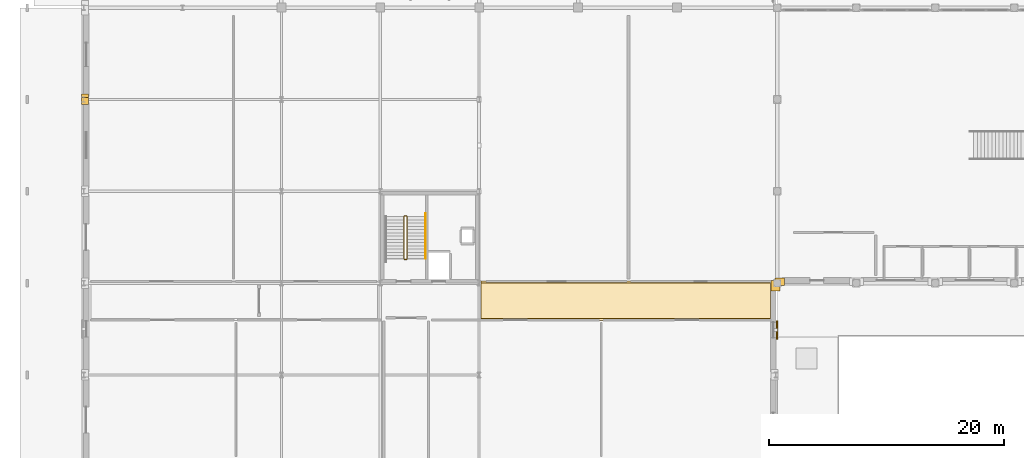
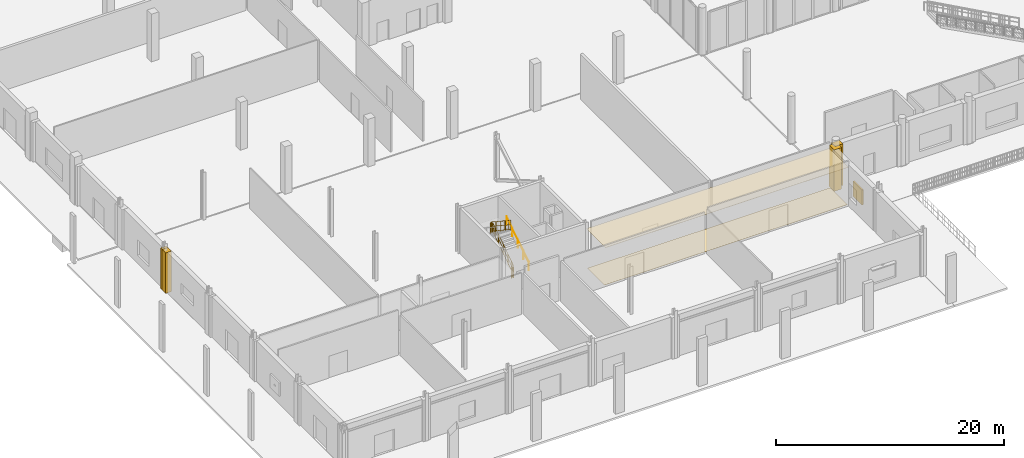
# One storey, part 68 of 80: 6 coverings, 5 railings, 1 shading device.
"""IFC4 building model written with IfcOpenShell, lengths in metres."""

from ifc_helpers import new_model, si_unit, direction, frame, origin, origin_2d, place, context, subcontext, project, spatial, polyline, rectangle, circle, outline, extrude, material, layer, layer_set, type_object, element, save


model = new_model("IFC4")

# Units and contexts
model_context = context("Model", 3, precision=1e-05, world=origin(), true_north=direction((0.0, 1.0)))
body_context = subcontext(model_context, "Body", "Model", "MODEL_VIEW")
ifc_project = project(units=[si_unit("LENGTHUNIT", "METRE"), si_unit("AREAUNIT", "SQUARE_METRE"), si_unit("VOLUMEUNIT", "CUBIC_METRE"), si_unit("PLANEANGLEUNIT", "RADIAN"), si_unit("MASSUNIT", "GRAM", prefix="KILO")], contexts=[model_context])

# Site, building, storey
site_placement = place(None, origin())
site = spatial("IfcSite", under=ifc_project, at=site_placement, CompositionType="ELEMENT")
building_placement = place(site_placement, origin())
building = spatial("IfcBuilding", under=site, at=building_placement, Name="Nabrawat Pavilion Hospital", CompositionType="ELEMENT")
storey_placement = place(building_placement, origin())
storey = spatial("IfcBuildingStorey", under=building, at=storey_placement, Name="L00", CompositionType="ELEMENT", Elevation=0.0)

# Coverings
ifc_material_1 = material(Name="Precast concrete C40/50", Category="concrete")
ifc_layer_1 = layer(ifc_material_1, 0.360107421875, Name="Precast concrete C40/50")
ifc_layer_set_1 = layer_set([ifc_layer_1], Name="Precast concrete C40/50")
covering_type_1 = type_object("IfcCoveringType", Name="Architectural Precast Column-Jamb Closure Reveal", PredefinedType="CLADDING", material=ifc_layer_set_1)
covering_1_placement = place(storey_placement, origin())
element("IfcCovering", 1, at=covering_1_placement, inside=storey, type_object=covering_type_1, Name="L00 Precast Facade Column-Jamb Weatherseal Closure 0008", PredefinedType="CLADDING", context=body_context, shape_type="SweptSolid", body=[
    extrude(outline(polyline([(0.39990234375, 30.75), (0.39990234375, 31.3798828125), (-0.179931640625, 31.3798828125), (-0.179931640625, 30.75), (0.39990234375, 30.75)])), origin(), (0.0, 0.0, 1.0), 4.330078125),
])
covering_2_placement = place(storey_placement, origin())
element("IfcCovering", 2, at=covering_2_placement, inside=storey, type_object=covering_type_1, Name="L00 Precast Facade Column-Jamb Weatherseal Closure 0009", PredefinedType="CLADDING", context=body_context, shape_type="SweptSolid", body=[
    extrude(outline(polyline([(0.39990234375, 31.02001953125), (0.39990234375, 31.64990234375), (-0.179931640625, 31.64990234375), (-0.179931640625, 31.02001953125), (0.39990234375, 31.02001953125)])), origin(), (0.0, 0.0, 1.0), 4.330078125),
])
covering_3_placement = place(storey_placement, origin())
element("IfcCovering", 3, at=covering_3_placement, inside=storey, type_object=covering_type_1, Name="L00 Precast Facade Column-Jamb Weatherseal Closure 0062", PredefinedType="CLADDING", context=body_context, shape_type="SweptSolid", body=[
    extrude(outline(polyline([(59.13134765625, 14.94873046875), (59.13134765625, 15.811279296875), (58.36865234375, 15.811279296875), (58.36865234375, 14.94873046875), (59.13134765625, 14.94873046875)])), origin(), (0.0, 0.0, 1.0), 4.43994140625),
])
covering_4_placement = place(storey_placement, origin())
element("IfcCovering", 4, at=covering_4_placement, inside=storey, type_object=covering_type_1, Name="L00 Precast Facade Column-Jamb Weatherseal Closure 0063", PredefinedType="CLADDING", context=body_context, shape_type="SweptSolid", body=[
    extrude(outline(polyline([(59.51611328125, 15.388671875), (59.51611328125, 16.03125), (58.708740234375, 16.03125), (58.708740234375, 15.388671875), (59.51611328125, 15.388671875)])), origin(), (0.0, 0.0, 1.0), 4.43994140625),
])
ifc_material_2 = material(Name="Mineral-Fibre Hygienic Acoustic Board", Category="gypsum")
ifc_layer_2 = layer(ifc_material_2, 0.02490234375, Name="Mineral-Fibre Hygienic Acoustic Board")
ifc_layer_set_2 = layer_set([ifc_layer_2], Name="Mineral-Fibre Hygienic Acoustic Board")
covering_type_2 = type_object("IfcCoveringType", Name="Hygienic Anti-Bacterial Acoustic Tile Ceiling", PredefinedType="CEILING", material=ifc_layer_set_2)
covering_5_placement = place(storey_placement, frame((0.0, 0.0, 4.110107421875)))
element("IfcCovering", 5, at=covering_5_placement, inside=storey, type_object=covering_type_2, Name="L00 Clinical Corridor Acoustic Ceiling 02", PredefinedType="CEILING", context=body_context, shape_type="SweptSolid", body=[
    extrude(outline(polyline([(58.35009765625, 12.419921875), (58.35009765625, 15.780029296875), (33.77001953125, 15.780029296875), (33.77001953125, 12.419921875), (58.35009765625, 12.419921875)])), origin(), (0.0, 0.0, 1.0), 0.02490234375),
])

# Shading device
ifc_layer_3 = layer(ifc_material_1, 2.39990234375, Name="Precast concrete C40/50")
ifc_layer_set_3 = layer_set([ifc_layer_3], Name="Precast concrete C40/50")
shading_device_type = type_object("IfcShadingDeviceType", Name="Perforated GFRC Mashrabiya Solar Fin", PredefinedType="JALOUSIE", material=ifc_layer_set_3)
shading_device_placement = place(storey_placement, frame((58.8798828125, 11.614990234375, 0.89990234375), z_axis=(0.0, 0.0, 1.0), x_axis=(0.0, 1.0, 0.0)))
element("IfcShadingDevice", 6, at=shading_device_placement, inside=storey, type_object=shading_device_type, Name="L00 Perforated GFRC Mashrabiya Screen 004", PredefinedType="JALOUSIE", context=body_context, shape_type="SweptSolid", body=[
    extrude(rectangle(XDim=1.60009765625, YDim=0.139892578125, at=origin_2d()), origin(), (0.0, 0.0, 1.0), 1.60009765625),
])

# Covering
ifc_material_3 = material(Name="Homogeneous Medical PVC Vinyl", Category="plastic")
ifc_layer_4 = layer(ifc_material_3, 0.014892578125, Name="Homogeneous Medical PVC Vinyl")
ifc_layer_set_4 = layer_set([ifc_layer_4], Name="Homogeneous Medical PVC Vinyl")
covering_type_3 = type_object("IfcCoveringType", Name="Seamless Anti-Static Medical Vinyl Flooring", PredefinedType="FLOORING", material=ifc_layer_set_4)
covering_6_placement = place(storey_placement, origin())
element("IfcCovering", 7, at=covering_6_placement, inside=storey, type_object=covering_type_3, Name="L00 Clinical Corridor Medical Vinyl Flooring 02", PredefinedType="FLOORING", context=body_context, shape_type="SweptSolid", body=[
    extrude(outline(polyline([(58.35009765625, 12.60009765625), (58.35009765625, 15.60009765625), (33.77001953125, 15.60009765625), (33.77001953125, 12.60009765625), (58.35009765625, 12.60009765625)])), origin(), (0.0, 0.0, 1.0), 0.014892578125),
])

# Railings
ifc_material_4 = material(Name="Stainless Steel 316", Category="steel")
ifc_layer_5 = layer(ifc_material_4, 0.050048828125, Name="Stainless Steel 316")
ifc_layer_set_5 = layer_set([ifc_layer_5], Name="Stainless Steel 316")
railing_type_1 = type_object("IfcRailingType", Name="Stair Open-Well Safety Guardrail 1100", PredefinedType="GUARDRAIL", material=ifc_layer_set_5)
railing_1_placement = place(storey_placement, frame((27.47509765625, 17.669921875, 0.18212890625)))
element("IfcRailing", 8, at=railing_1_placement, inside=storey, type_object=railing_type_1, Name="L00 ST-01 stair guard 1", PredefinedType="GUARDRAIL", context=body_context, shape_type="SweptSolid", body=[
    extrude(circle(Radius=0.02392578125, at=origin_2d()), frame((0.0, 0.0, 1.076171875), z_axis=(0.0, 0.833719449677, 0.5521882643), x_axis=(-1.0, 0.0, 0.0)), (0.0, 0.0, 1.0), 4.288330078125),
    extrude(circle(Radius=0.02392578125, at=origin_2d()), frame((0.0, 0.0, 0.10009765625), z_axis=(0.0, 0.833719449677, 0.5521882643), x_axis=(-1.0, 0.0, 0.0)), (0.0, 0.0, 1.0), 4.288330078125),
    extrude(circle(Radius=0.02392578125, at=origin_2d()), frame((0.0, 0.0, 0.60498046875), z_axis=(0.0, 0.833719449677, 0.5521882643), x_axis=(-1.0, 0.0, 0.0)), (0.0, 0.0, 1.0), 4.288330078125),
    extrude(circle(Radius=0.008056640625, at=origin_2d()), frame((0.0, 0.19873046875, 0.2314453125)), (0.0, 0.0, 1.0), 0.951904296875),
    extrude(circle(Radius=0.008056640625, at=origin_2d()), frame((0.0, 0.397216796875, 0.363037109375)), (0.0, 0.0, 1.0), 0.951904296875),
    extrude(circle(Radius=0.008056640625, at=origin_2d()), frame((0.0, 0.595947265625, 0.49462890625)), (0.0, 0.0, 1.0), 0.951904296875),
    extrude(circle(Radius=0.008056640625, at=origin_2d()), frame((0.0, 0.79443359375, 0.626220703125)), (0.0, 0.0, 1.0), 0.951904296875),
    extrude(circle(Radius=0.008056640625, at=origin_2d()), frame((0.0, 0.9931640625, 0.7578125)), (0.0, 0.0, 1.0), 0.951904296875),
    extrude(circle(Radius=0.008056640625, at=origin_2d()), frame((0.0, 1.191650390625, 0.889404296875)), (0.0, 0.0, 1.0), 0.951904296875),
    extrude(circle(Radius=0.008056640625, at=origin_2d()), frame((0.0, 1.390380859375, 1.020751953125)), (0.0, 0.0, 1.0), 0.951904296875),
    extrude(circle(Radius=0.008056640625, at=origin_2d()), frame((0.0, 1.5888671875, 1.15234375)), (0.0, 0.0, 1.0), 0.951904296875),
    extrude(circle(Radius=0.008056640625, at=origin_2d()), frame((0.0, 1.986328125, 1.41552734375)), (0.0, 0.0, 1.0), 0.951904296875),
    extrude(circle(Radius=0.008056640625, at=origin_2d()), frame((0.0, 2.184814453125, 1.547119140625)), (0.0, 0.0, 1.0), 0.951904296875),
    extrude(circle(Radius=0.008056640625, at=origin_2d()), frame((0.0, 2.383544921875, 1.6787109375)), (0.0, 0.0, 1.0), 0.951904296875),
    extrude(circle(Radius=0.008056640625, at=origin_2d()), frame((0.0, 2.58203125, 1.81005859375)), (0.0, 0.0, 1.0), 0.951904296875),
    extrude(circle(Radius=0.008056640625, at=origin_2d()), frame((0.0, 2.78076171875, 1.941650390625)), (0.0, 0.0, 1.0), 0.951904296875),
    extrude(circle(Radius=0.008056640625, at=origin_2d()), frame((0.0, 2.979248046875, 2.0732421875)), (0.0, 0.0, 1.0), 0.951904296875),
    extrude(circle(Radius=0.008056640625, at=origin_2d()), frame((0.0, 3.177978515625, 2.204833984375)), (0.0, 0.0, 1.0), 0.951904296875),
    extrude(circle(Radius=0.008056640625, at=origin_2d()), frame((0.0, 3.37646484375, 2.33642578125)), (0.0, 0.0, 1.0), 0.951904296875),
    extrude(circle(Radius=0.02099609375, at=origin_2d()), origin(), (0.0, 0.0, 1.0), 1.052001953125),
    extrude(circle(Radius=0.02099609375, at=origin_2d()), frame((0.0, 0.893798828125, 0.592041015625)), (0.0, 0.0, 1.0), 1.052001953125),
    extrude(circle(Radius=0.02099609375, at=origin_2d()), frame((0.0, 1.78759765625, 1.18408203125)), (0.0, 0.0, 1.0), 1.052001953125),
    extrude(circle(Radius=0.02099609375, at=origin_2d()), frame((0.0, 2.681396484375, 1.77587890625)), (0.0, 0.0, 1.0), 1.052001953125),
    extrude(circle(Radius=0.02099609375, at=origin_2d()), frame((0.0, 3.5751953125, 2.367919921875)), (0.0, 0.0, 1.0), 1.052001953125),
])
railing_2_placement = place(storey_placement, frame((27.449951171875, 21.294921875, 2.550048828125)))
element("IfcRailing", 9, at=railing_2_placement, inside=storey, type_object=railing_type_1, Name="L00 ST-01 stair guard 2", PredefinedType="GUARDRAIL", context=body_context, shape_type="SweptSolid", body=[
    extrude(circle(Radius=0.02392578125, at=origin_2d()), frame((0.0, 0.0, 1.076171875), z_axis=(-1.0, 0.0, 0.0), x_axis=(0.0, -1.0, 0.0)), (0.0, 0.0, 1.0), 0.199951171875),
    extrude(circle(Radius=0.02392578125, at=origin_2d()), frame((0.0, 0.0, 0.10009765625), z_axis=(-1.0, 0.0, 0.0), x_axis=(0.0, -1.0, 0.0)), (0.0, 0.0, 1.0), 0.199951171875),
    extrude(circle(Radius=0.02392578125, at=origin_2d()), frame((0.0, 0.0, 0.60498046875), z_axis=(-1.0, 0.0, 0.0), x_axis=(0.0, -1.0, 0.0)), (0.0, 0.0, 1.0), 0.199951171875),
    extrude(circle(Radius=0.008056640625, at=origin_2d()), frame((-0.10009765625, 0.0, 0.10009765625)), (0.0, 0.0, 1.0), 0.951904296875),
    extrude(circle(Radius=0.02099609375, at=origin_2d()), origin(), (0.0, 0.0, 1.0), 1.052001953125),
    extrude(circle(Radius=0.02099609375, at=origin_2d()), frame((-0.199951171875, 0.0, 0.0)), (0.0, 0.0, 1.0), 1.052001953125),
])
railing_3_placement = place(storey_placement, frame((27.22509765625, 21.2451171875, 2.732177734375)))
element("IfcRailing", 10, at=railing_3_placement, inside=storey, type_object=railing_type_1, Name="L00 ST-01 stair guard 3", PredefinedType="GUARDRAIL", context=body_context, shape_type="SweptSolid", body=[
    extrude(circle(Radius=0.02392578125, at=origin_2d()), frame((0.0, 0.0, 1.076171875), z_axis=(0.0, -0.833719449677, 0.5521882643), x_axis=(1.0, 0.0, 0.0)), (0.0, 0.0, 1.0), 4.288330078125),
    extrude(circle(Radius=0.02392578125, at=origin_2d()), frame((0.0, 0.0, 0.10009765625), z_axis=(0.0, -0.833719449677, 0.5521882643), x_axis=(1.0, 0.0, 0.0)), (0.0, 0.0, 1.0), 4.288330078125),
    extrude(circle(Radius=0.02392578125, at=origin_2d()), frame((0.0, 0.0, 0.60498046875), z_axis=(0.0, -0.833719449677, 0.5521882643), x_axis=(1.0, 0.0, 0.0)), (0.0, 0.0, 1.0), 4.288330078125),
    extrude(circle(Radius=0.008056640625, at=origin_2d()), frame((0.0, -0.19873046875, 0.2314453125)), (0.0, 0.0, 1.0), 0.951904296875),
    extrude(circle(Radius=0.008056640625, at=origin_2d()), frame((0.0, -0.397216796875, 0.363037109375)), (0.0, 0.0, 1.0), 0.951904296875),
    extrude(circle(Radius=0.008056640625, at=origin_2d()), frame((0.0, -0.595947265625, 0.49462890625)), (0.0, 0.0, 1.0), 0.951904296875),
    extrude(circle(Radius=0.008056640625, at=origin_2d()), frame((0.0, -0.79443359375, 0.626220703125)), (0.0, 0.0, 1.0), 0.951904296875),
    extrude(circle(Radius=0.008056640625, at=origin_2d()), frame((0.0, -0.9931640625, 0.7578125)), (0.0, 0.0, 1.0), 0.951904296875),
    extrude(circle(Radius=0.008056640625, at=origin_2d()), frame((0.0, -1.191650390625, 0.889404296875)), (0.0, 0.0, 1.0), 0.951904296875),
    extrude(circle(Radius=0.008056640625, at=origin_2d()), frame((0.0, -1.390380859375, 1.020751953125)), (0.0, 0.0, 1.0), 0.951904296875),
    extrude(circle(Radius=0.008056640625, at=origin_2d()), frame((0.0, -1.5888671875, 1.15234375)), (0.0, 0.0, 1.0), 0.951904296875),
    extrude(circle(Radius=0.008056640625, at=origin_2d()), frame((0.0, -1.986328125, 1.41552734375)), (0.0, 0.0, 1.0), 0.951904296875),
    extrude(circle(Radius=0.008056640625, at=origin_2d()), frame((0.0, -2.184814453125, 1.547119140625)), (0.0, 0.0, 1.0), 0.951904296875),
    extrude(circle(Radius=0.008056640625, at=origin_2d()), frame((0.0, -2.383544921875, 1.6787109375)), (0.0, 0.0, 1.0), 0.951904296875),
    extrude(circle(Radius=0.008056640625, at=origin_2d()), frame((0.0, -2.58203125, 1.81005859375)), (0.0, 0.0, 1.0), 0.951904296875),
    extrude(circle(Radius=0.008056640625, at=origin_2d()), frame((0.0, -2.78076171875, 1.941650390625)), (0.0, 0.0, 1.0), 0.951904296875),
    extrude(circle(Radius=0.008056640625, at=origin_2d()), frame((0.0, -2.979248046875, 2.0732421875)), (0.0, 0.0, 1.0), 0.951904296875),
    extrude(circle(Radius=0.008056640625, at=origin_2d()), frame((0.0, -3.177978515625, 2.204833984375)), (0.0, 0.0, 1.0), 0.951904296875),
    extrude(circle(Radius=0.008056640625, at=origin_2d()), frame((0.0, -3.37646484375, 2.33642578125)), (0.0, 0.0, 1.0), 0.951904296875),
    extrude(circle(Radius=0.02099609375, at=origin_2d()), origin(), (0.0, 0.0, 1.0), 1.052001953125),
    extrude(circle(Radius=0.02099609375, at=origin_2d()), frame((0.0, -0.893798828125, 0.592041015625)), (0.0, 0.0, 1.0), 1.052001953125),
    extrude(circle(Radius=0.02099609375, at=origin_2d()), frame((0.0, -1.78759765625, 1.18408203125)), (0.0, 0.0, 1.0), 1.052001953125),
    extrude(circle(Radius=0.02099609375, at=origin_2d()), frame((0.0, -2.681396484375, 1.77587890625)), (0.0, 0.0, 1.0), 1.052001953125),
    extrude(circle(Radius=0.02099609375, at=origin_2d()), frame((0.0, -3.5751953125, 2.367919921875)), (0.0, 0.0, 1.0), 1.052001953125),
])
railing_4_placement = place(storey_placement, frame((27.449951171875, 17.6201171875, 0.0)))
element("IfcRailing", 11, at=railing_4_placement, inside=storey, type_object=railing_type_1, Name="L00 ST-01 stair guard 4", PredefinedType="GUARDRAIL", context=body_context, shape_type="SweptSolid", body=[
    extrude(circle(Radius=0.02392578125, at=origin_2d()), frame((0.0, 0.0, 1.076171875), z_axis=(-1.0, 0.0, 0.0), x_axis=(0.0, -1.0, 0.0)), (0.0, 0.0, 1.0), 0.199951171875),
    extrude(circle(Radius=0.02392578125, at=origin_2d()), frame((0.0, 0.0, 0.10009765625), z_axis=(-1.0, 0.0, 0.0), x_axis=(0.0, -1.0, 0.0)), (0.0, 0.0, 1.0), 0.199951171875),
    extrude(circle(Radius=0.02392578125, at=origin_2d()), frame((0.0, 0.0, 0.60498046875), z_axis=(-1.0, 0.0, 0.0), x_axis=(0.0, -1.0, 0.0)), (0.0, 0.0, 1.0), 0.199951171875),
    extrude(circle(Radius=0.008056640625, at=origin_2d()), frame((-0.10009765625, 0.0, 0.10009765625)), (0.0, 0.0, 1.0), 0.951904296875),
    extrude(circle(Radius=0.02099609375, at=origin_2d()), origin(), (0.0, 0.0, 1.0), 1.052001953125),
    extrude(circle(Radius=0.02099609375, at=origin_2d()), frame((-0.199951171875, 0.0, 0.0)), (0.0, 0.0, 1.0), 1.052001953125),
])
ifc_layer_6 = layer(ifc_material_4, 0.044921875, Name="Stainless Steel 316")
ifc_layer_set_6 = layer_set([ifc_layer_6], Name="Stainless Steel 316")
railing_type_2 = type_object("IfcRailingType", Name="Stair Pitch Continuous Handrail 920", PredefinedType="HANDRAIL", material=ifc_layer_set_6)
railing_5_placement = place(storey_placement, frame((29.02490234375, 17.669921875, 0.18603515625)))
element("IfcRailing", 12, at=railing_5_placement, inside=storey, type_object=railing_type_2, Name="L00 ST-01 stair handrail 1", PredefinedType="HANDRAIL", context=body_context, shape_type="SweptSolid", body=[
    extrude(circle(Radius=0.02392578125, at=origin_2d()), frame((0.0, 0.0, 0.89599609375), z_axis=(0.0, 0.833713881912, 0.552196670677), x_axis=(-1.0, 0.0, 0.0)), (0.0, 0.0, 1.0), 4.617919921875),
    extrude(circle(Radius=0.02099609375, at=origin_2d()), origin(), (0.0, 0.0, 1.0), 0.871826171875),
    extrude(circle(Radius=0.02099609375, at=origin_2d()), frame((0.0, 0.96240234375, 0.637451171875)), (0.0, 0.0, 1.0), 0.871826171875),
    extrude(circle(Radius=0.02099609375, at=origin_2d()), frame((0.0, 1.925048828125, 1.27490234375)), (0.0, 0.0, 1.0), 0.871826171875),
    extrude(circle(Radius=0.02099609375, at=origin_2d()), frame((0.0, 2.8876953125, 1.91259765625)), (0.0, 0.0, 1.0), 0.871826171875),
    extrude(circle(Radius=0.02099609375, at=origin_2d()), frame((0.0, 3.85009765625, 2.550048828125)), (0.0, 0.0, 1.0), 0.871826171875),
])

save(model, "model.ifc")
